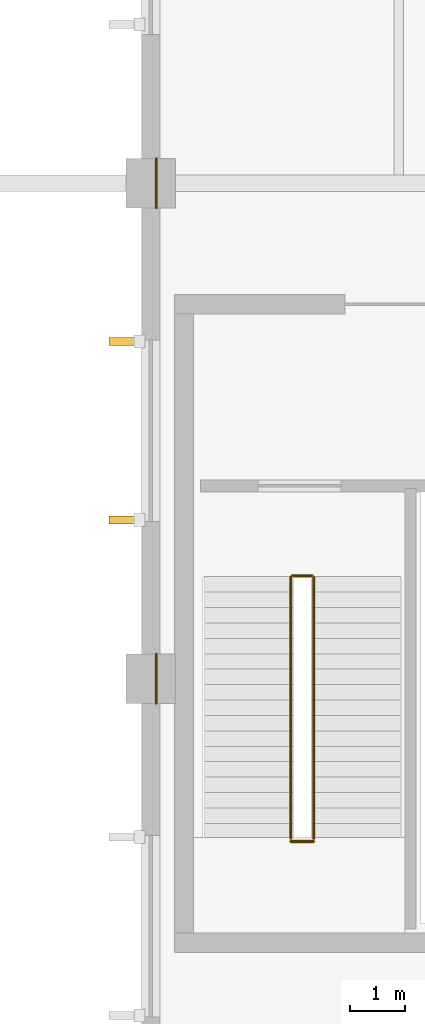
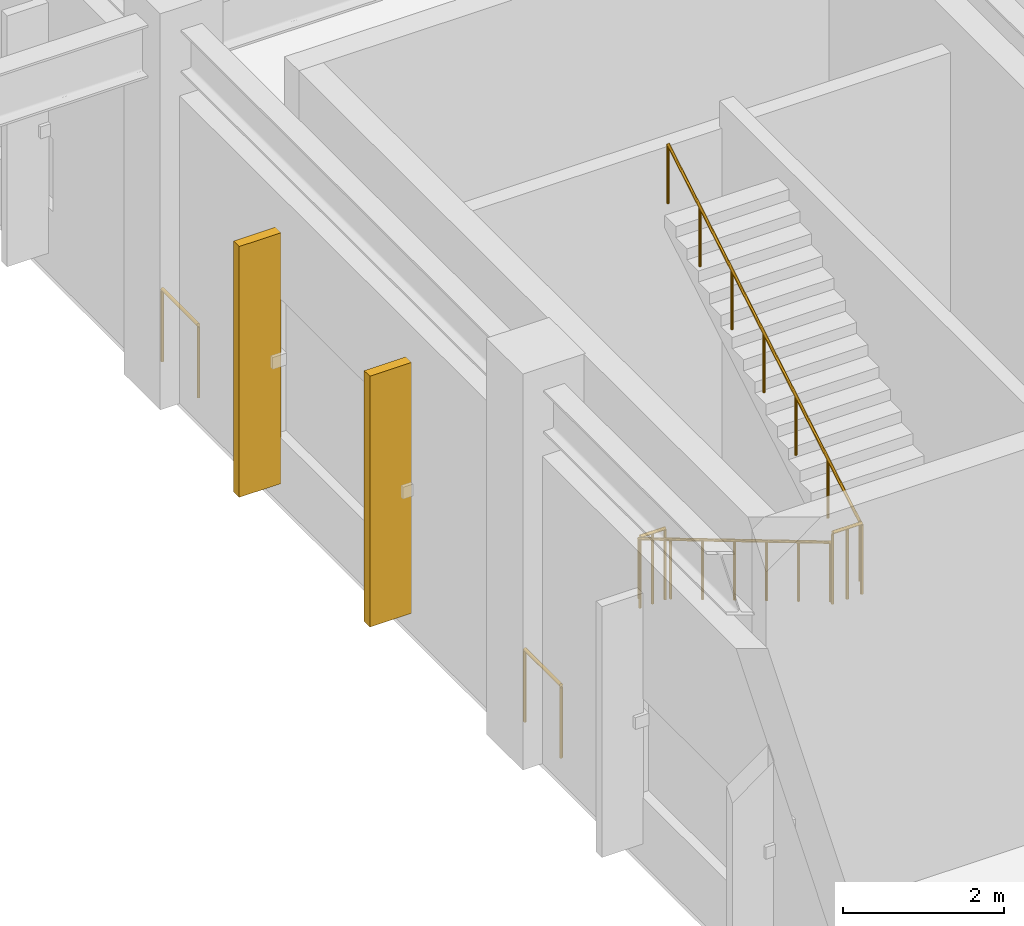
# One storey, part 207 of 223: 6 railings, 2 shading devices.
"""IFC4 building model written with IfcOpenShell, lengths in metres."""

from ifc_helpers import new_model, si_unit, direction, frame, origin, origin_2d, place, context, subcontext, project, spatial, rectangle, circle, extrude, material, layer, layer_set, type_object, element, save


model = new_model("IFC4")

# Units and contexts
model_context = context("Model", 3, precision=1e-05, world=origin(), true_north=direction((0.0, 1.0)))
body_context = subcontext(model_context, "Body", "Model", "MODEL_VIEW")
ifc_project = project(units=[si_unit("LENGTHUNIT", "METRE"), si_unit("AREAUNIT", "SQUARE_METRE"), si_unit("VOLUMEUNIT", "CUBIC_METRE"), si_unit("PLANEANGLEUNIT", "RADIAN"), si_unit("MASSUNIT", "GRAM", prefix="KILO")], contexts=[model_context])

# Site, building, storey
site_placement = place(None, origin())
site = spatial("IfcSite", under=ifc_project, at=site_placement, CompositionType="ELEMENT")
building_placement = place(site_placement, origin())
building = spatial("IfcBuilding", under=site, at=building_placement, Name="Dornveld Trade and Exhibition Forum", CompositionType="ELEMENT")
storey_placement = place(building_placement, frame((0.0, 0.0, 6.0)))
storey = spatial("IfcBuildingStorey", under=building, at=storey_placement, Name="L01", CompositionType="ELEMENT", Elevation=6.0)

# Railings
ifc_material_1 = material(Name="Dark-bronze steel and laminated glass balustrade", Category="steel")
railing_type_1 = type_object("IfcRailingType", Name="RL-BALUST-CONC", PredefinedType="BALUSTRADE", material=ifc_material_1)
for number, where, name in (
    (1, (18.10009765625, 116.550537109375, 0.0), "L01 deck edge balustrade 89"),
    (2, (18.10009765625, 125.550537109375, 0.0), "L01 deck edge balustrade 90"),
):
    element("IfcRailing", number, at=place(storey_placement, frame(where)), inside=storey, type_object=railing_type_1, Name=name, PredefinedType="BALUSTRADE", context=body_context, shape_type="SweptSolid", body=[
        extrude(circle(Radius=0.02490234375, at=origin_2d()), frame((0.0, 0.0, 1.09521484375), z_axis=(0.0, 1.0, 0.0), x_axis=(-1.0, 0.0, 0.0)), (0.0, 0.0, 1.0), 0.89892578125),
        extrude(circle(Radius=0.02099609375, at=origin_2d()), origin(), (0.0, 0.0, 1.0), 1.070068359375),
        extrude(circle(Radius=0.02099609375, at=origin_2d()), frame((0.0, 0.89892578125, 0.0)), (0.0, 0.0, 1.0), 1.070068359375),
    ])
ifc_material_2 = material(Name="Brushed stainless steel handrail", Category="steel")
railing_type_2 = type_object("IfcRailingType", Name="RL-HAND-920", PredefinedType="HANDRAIL", material=ifc_material_2)
railing_1_placement = place(storey_placement, frame((20.5400390625, 118.85009765625, 0.166748046875)))
element("IfcRailing", 3, at=railing_1_placement, inside=storey, type_object=railing_type_2, Name="ST-10-L01 flight 1 handrail", PredefinedType="HANDRAIL", context=body_context, shape_type="SweptSolid", body=[
    extrude(circle(Radius=0.02099609375, at=origin_2d()), frame((0.0, 0.0, 0.89892578125), z_axis=(0.0, -0.859299802514, 0.511472237174), x_axis=(1.0, 0.0, 0.0)), (0.0, 0.0, 1.0), 5.539306640625),
    extrude(circle(Radius=0.01806640625, at=origin_2d()), origin(), (0.0, 0.0, 1.0), 0.8779296875),
    extrude(circle(Radius=0.01806640625, at=origin_2d()), frame((0.0, -0.79345703125, 0.47216796875)), (0.0, 0.0, 1.0), 0.8779296875),
    extrude(circle(Radius=0.01806640625, at=origin_2d()), frame((0.0, -1.586669921875, 0.9443359375)), (0.0, 0.0, 1.0), 0.8779296875),
    extrude(circle(Radius=0.01806640625, at=origin_2d()), frame((0.0, -2.3798828125, 1.41650390625)), (0.0, 0.0, 1.0), 0.8779296875),
    extrude(circle(Radius=0.01806640625, at=origin_2d()), frame((0.0, -3.17333984375, 1.888916015625)), (0.0, 0.0, 1.0), 0.8779296875),
    extrude(circle(Radius=0.01806640625, at=origin_2d()), frame((0.0, -3.966796875, 2.361083984375)), (0.0, 0.0, 1.0), 0.8779296875),
    extrude(circle(Radius=0.01806640625, at=origin_2d()), frame((0.0, -4.760009765625, 2.833251953125)), (0.0, 0.0, 1.0), 0.8779296875),
])
railing_2_placement = place(storey_placement, frame((20.9599609375, 114.090087890625, 3.166748046875)))
element("IfcRailing", 4, at=railing_2_placement, inside=storey, type_object=railing_type_2, Name="ST-10-L01 flight 2 handrail", PredefinedType="HANDRAIL", context=body_context, shape_type="SweptSolid", body=[
    extrude(circle(Radius=0.02099609375, at=origin_2d()), frame((0.0, 0.0, 0.89892578125), z_axis=(0.0, 0.859299802514, 0.511472237174), x_axis=(-1.0, 0.0, 0.0)), (0.0, 0.0, 1.0), 5.539306640625),
    extrude(circle(Radius=0.01806640625, at=origin_2d()), origin(), (0.0, 0.0, 1.0), 0.8779296875),
    extrude(circle(Radius=0.01806640625, at=origin_2d()), frame((0.0, 0.79345703125, 0.47216796875)), (0.0, 0.0, 1.0), 0.8779296875),
    extrude(circle(Radius=0.01806640625, at=origin_2d()), frame((0.0, 1.586669921875, 0.9443359375)), (0.0, 0.0, 1.0), 0.8779296875),
    extrude(circle(Radius=0.01806640625, at=origin_2d()), frame((0.0, 2.3798828125, 1.41650390625)), (0.0, 0.0, 1.0), 0.8779296875),
    extrude(circle(Radius=0.01806640625, at=origin_2d()), frame((0.0, 3.17333984375, 1.888916015625)), (0.0, 0.0, 1.0), 0.8779296875),
    extrude(circle(Radius=0.01806640625, at=origin_2d()), frame((0.0, 3.966796875, 2.361083984375)), (0.0, 0.0, 1.0), 0.8779296875),
    extrude(circle(Radius=0.01806640625, at=origin_2d()), frame((0.0, 4.760009765625, 2.833251953125)), (0.0, 0.0, 1.0), 0.8779296875),
])
ifc_material_3 = material(Name="Painted steel S355J2 stair-well guard", Category="steel")
railing_type_3 = type_object("IfcRailingType", Name="RL-WELL-110", PredefinedType="GUARDRAIL", material=ifc_material_3)
railing_3_placement = place(storey_placement, frame((20.5400390625, 114.0400390625, 3.0)))
element("IfcRailing", 5, at=railing_3_placement, inside=storey, type_object=railing_type_3, Name="ST-10-L01 half-landing well guard", PredefinedType="GUARDRAIL", context=body_context, shape_type="SweptSolid", body=[
    extrude(circle(Radius=0.02392578125, at=origin_2d()), frame((0.0, 0.0, 1.076171875), z_axis=(1.0, 0.0, 0.0), x_axis=(0.0, 1.0, 0.0)), (0.0, 0.0, 1.0), 0.419921875),
    extrude(circle(Radius=0.02001953125, at=origin_2d()), origin(), (0.0, 0.0, 1.0), 1.052001953125),
    extrude(circle(Radius=0.02001953125, at=origin_2d()), frame((0.2099609375, 0.0, 0.0)), (0.0, 0.0, 1.0), 1.052001953125),
    extrude(circle(Radius=0.02001953125, at=origin_2d()), frame((0.419921875, 0.0, 0.0)), (0.0, 0.0, 1.0), 1.052001953125),
])
railing_4_placement = place(storey_placement, frame((20.570068359375, 118.8701171875, 0.0)))
element("IfcRailing", 6, at=railing_4_placement, inside=storey, type_object=railing_type_3, Name="CORE-10 L01 stair-slot floor guard", PredefinedType="GUARDRAIL", context=body_context, shape_type="SweptSolid", body=[
    extrude(circle(Radius=0.02392578125, at=origin_2d()), frame((0.0, 0.0, 1.076171875), z_axis=(1.0, 0.0, 0.0), x_axis=(0.0, 1.0, 0.0)), (0.0, 0.0, 1.0), 0.35986328125),
    extrude(circle(Radius=0.02001953125, at=origin_2d()), origin(), (0.0, 0.0, 1.0), 1.052001953125),
    extrude(circle(Radius=0.02001953125, at=origin_2d()), frame((0.179931640625, 0.0, 0.0)), (0.0, 0.0, 1.0), 1.052001953125),
    extrude(circle(Radius=0.02001953125, at=origin_2d()), frame((0.35986328125, 0.0, 0.0)), (0.0, 0.0, 1.0), 1.052001953125),
])

# Shading devices
ifc_material_4 = material(Name="Precast concrete C50/60", Category="concrete")
ifc_layer = layer(ifc_material_4, 0.139892578125)
ifc_layer_set = layer_set([ifc_layer], Name="Precast concrete C50/60")
shading_device_type = type_object("IfcShadingDeviceType", Name="SHD-FIN-600", PredefinedType="JALOUSIE", material=ifc_layer_set)
for number, where, z_axis, x_axis, name in (
    (7, (17.5400390625, 123.1201171875, 0.2998046875), (0.0, 0.0, 1.0), (0.0, -1.0, 0.0), "L01 vertical solar brise-soleil fin 89"),
    (8, (17.5400390625, 119.8798828125, 0.2998046875), (0.0, 0.0, 1.0), (0.0, -1.0, 0.0), "L01 vertical solar brise-soleil fin 90"),
):
    element("IfcShadingDevice", number, at=place(storey_placement, frame(where, z_axis=z_axis, x_axis=x_axis)), inside=storey, type_object=shading_device_type, Name=name, PredefinedType="JALOUSIE", context=body_context, shape_type="SweptSolid", body=[
        extrude(rectangle(XDim=0.139892578125, YDim=0.60009765625, at=origin_2d()), origin(), (0.0, 0.0, 1.0), 3.800048828125),
    ])

save(model, "model.ifc")
